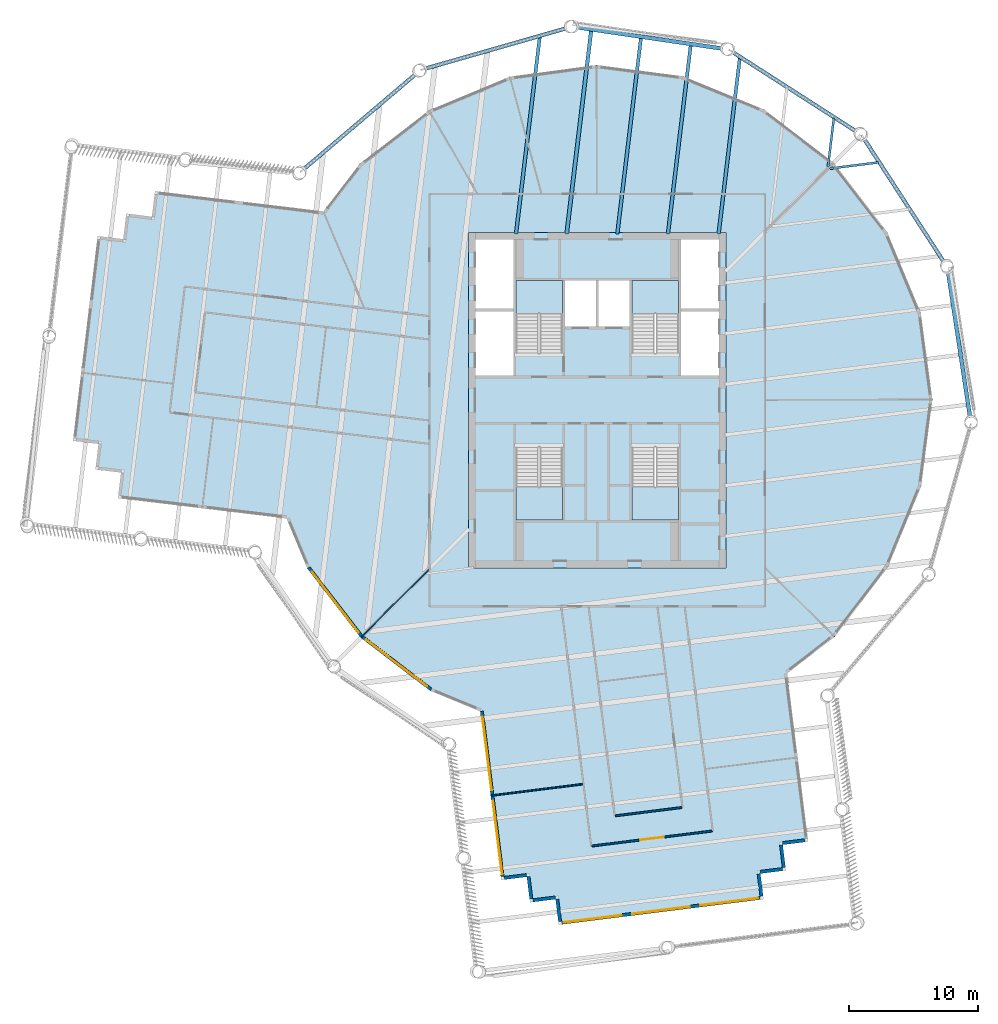
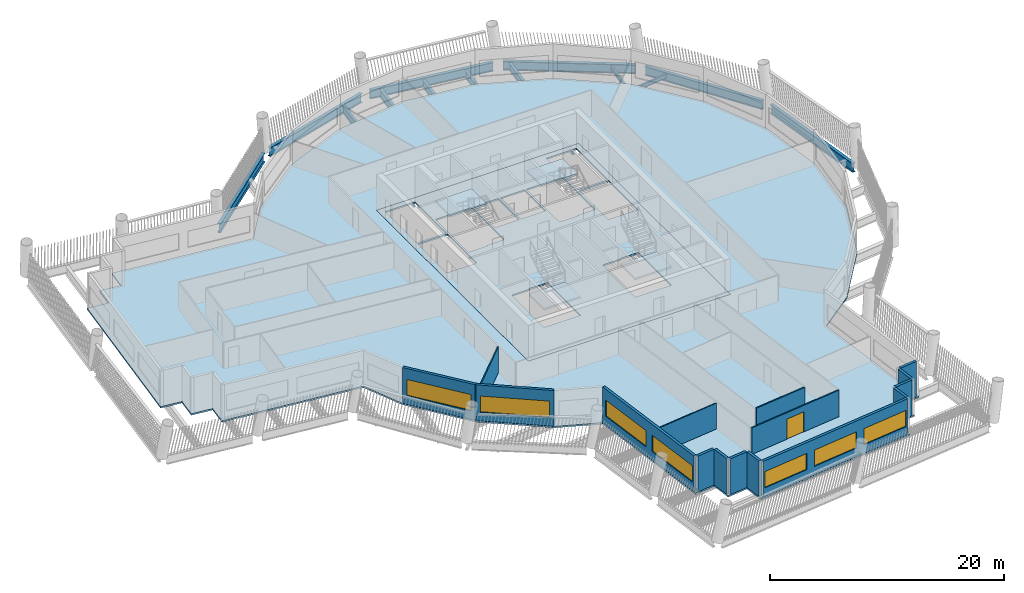
# One storey, part 2 of 14: 16 walls, 13 beams, 7 windows, 6 slabs, 1 door, 8 openings, 4 elements without a shape of their own.
"""IFC4 building model written with IfcOpenShell, lengths in metres."""

from ifc_helpers import new_model, si_unit, direction, frame, frame_2d, origin, origin_2d, place, context, subcontext, project, spatial, polyline, rectangle, i_section, outline, extrude, material, layer, layer_set, material_profile, profile_set, type_object, element, fill, aggregate, save


model = new_model("IFC4")

# Units and contexts
model_context = context("Model", 3, precision=1e-05, world=origin(), true_north=direction((0.0, 1.0)))
body_context = subcontext(model_context, "Body", "Model", "MODEL_VIEW")
ifc_project = project(units=[si_unit("LENGTHUNIT", "METRE"), si_unit("AREAUNIT", "SQUARE_METRE"), si_unit("VOLUMEUNIT", "CUBIC_METRE"), si_unit("PLANEANGLEUNIT", "RADIAN"), si_unit("MASSUNIT", "GRAM", prefix="KILO")], contexts=[model_context])

# Site, building, storey
site_placement = place(None, origin())
site = spatial("IfcSite", under=ifc_project, at=site_placement, CompositionType="ELEMENT")
building_placement = place(site_placement, origin())
building = spatial("IfcBuilding", under=site, at=building_placement, Name="Tarsis Ring Headquarters", CompositionType="ELEMENT")
storey_placement = place(building_placement, frame((0.0, 0.0, 259.10009765625)))
storey = spatial("IfcBuildingStorey", under=building, at=storey_placement, Name="L60", CompositionType="ELEMENT", Elevation=259.10009765625)

# Beams
ifc_material_1 = material(Name="Structural steel S355", Category="steel")
ifc_material_profile_1 = material_profile(ifc_material_1, i_section(OverallWidth=0.177734375, OverallDepth=0.406494140625, WebThickness=0.0078125, FlangeThickness=0.0126953125, at=origin_2d()), Name="W16x40")
ifc_profile_set_1 = profile_set([ifc_material_profile_1], Name="Structural steel S355")
beam_type_1 = type_object("IfcBeamType", Name="FB Floor beam W16x40", PredefinedType="JOIST", material=ifc_profile_set_1)
for number, where, z_axis, x_axis, name in (
    (1, (18.030029296875, 17.973388671875, -0.36328125), (0.992287744233, 0.123955768903, 0.0), (-0.123955768903, 0.992287744233, 0.0), "Floor beam FB1"),
    (2, (18.353515625, 21.883056640625, -0.36328125), (-0.119785270132, -0.992799823257, 0.0), (0.992799823257, -0.119785270132, 0.0), "Floor beam FB1"),
):
    element("IfcBeam", number, at=place(storey_placement, frame(where, z_axis=z_axis, x_axis=x_axis)), inside=storey, type_object=beam_type_1, Name=name, PredefinedType="JOIST", context=body_context, shape_type="SweptSolid", body=[
        extrude(i_section(OverallWidth=0.177734375, OverallDepth=0.406494140625, WebThickness=0.0078125, FlangeThickness=0.0126953125, at=origin_2d()), origin(), (0.0, 0.0, 1.0), 3.80517578125),
    ])
ifc_material_profile_2 = material_profile(ifc_material_1, i_section(OverallWidth=0.2666015625, OverallDepth=0.7568359375, WebThickness=0.013916015625, FlangeThickness=0.019287109375, at=origin_2d()), Name="W30x108")
ifc_profile_set_2 = profile_set([ifc_material_profile_2], Name="Structural steel S355")
beam_type_2 = type_object("IfcBeamType", Name="FB Floor beam W30x108", PredefinedType="JOIST", material=ifc_profile_set_2)
beam_1_placement = place(storey_placement, frame((11.06201171875, 26.565673828125, -0.53857421875), z_axis=(-0.119798457432, -0.992798232068, 0.0), x_axis=(0.992798232068, -0.119798457432, 0.0)))
element("IfcBeam", 3, at=beam_1_placement, inside=storey, type_object=beam_type_2, Name="Floor beam FB6", PredefinedType="JOIST", context=body_context, shape_type="SweptSolid", body=[
    extrude(i_section(OverallWidth=0.2666015625, OverallDepth=0.7568359375, WebThickness=0.013916015625, FlangeThickness=0.019287109375, at=origin_2d()), origin(), (0.0, 0.0, 1.0), 13.76416015625),
])
beam_2_placement = place(storey_placement, frame((7.255859375, 27.578369140625, -0.53857421875), z_axis=(-0.119789852089, -0.992799270415, 0.0), x_axis=(0.992799270415, -0.119789852089, 0.0)))
element("IfcBeam", 4, at=beam_2_placement, inside=storey, type_object=beam_type_2, Name="Floor beam FB6", PredefinedType="JOIST", context=body_context, shape_type="SweptSolid", body=[
    extrude(i_section(OverallWidth=0.2666015625, OverallDepth=0.7568359375, WebThickness=0.013916015625, FlangeThickness=0.019287109375, at=origin_2d()), origin(), (0.0, 0.0, 1.0), 14.7841796875),
])
beam_3_placement = place(storey_placement, frame((3.39599609375, 28.14599609375, -0.53857421875), z_axis=(-0.119781524118, -0.992800275222, 0.0), x_axis=(0.992800275222, -0.119781524118, 0.0)))
element("IfcBeam", 5, at=beam_3_placement, inside=storey, type_object=beam_type_2, Name="Floor beam FB6", PredefinedType="JOIST", context=body_context, shape_type="SweptSolid", body=[
    extrude(i_section(OverallWidth=0.2666015625, OverallDepth=0.7568359375, WebThickness=0.013916015625, FlangeThickness=0.019287109375, at=origin_2d()), origin(), (0.0, 0.0, 1.0), 15.35595703125),
])
beam_4_placement = place(storey_placement, frame((-4.45458984375, 28.19580078125, -0.53857421875), z_axis=(-0.119787574618, -0.992799545209, 0.0), x_axis=(0.992799545209, -0.119787574618, 0.0)))
element("IfcBeam", 6, at=beam_4_placement, inside=storey, type_object=beam_type_2, Name="Floor beam FB6", PredefinedType="JOIST", context=body_context, shape_type="SweptSolid", body=[
    extrude(i_section(OverallWidth=0.2666015625, OverallDepth=0.7568359375, WebThickness=0.013916015625, FlangeThickness=0.019287109375, at=origin_2d()), origin(), (0.0, 0.0, 1.0), 15.406005859375),
])
ifc_material_profile_3 = material_profile(ifc_material_1, i_section(OverallWidth=0.2919921875, OverallDepth=0.835693359375, WebThickness=0.013916015625, FlangeThickness=0.018798828125, at=origin_2d()), Name="W33x118")
ifc_profile_set_3 = profile_set([ifc_material_profile_3], Name="Structural steel S355")
beam_type_3 = type_object("IfcBeamType", Name="FB Floor beam W33x118", PredefinedType="JOIST", material=ifc_profile_set_3)
beam_5_placement = place(storey_placement, frame((-0.463623046875, 28.713623046875, -0.577880859375), z_axis=(-0.119788902177, -0.99279938503, 0.0), x_axis=(0.99279938503, -0.119788902177, 0.0)))
element("IfcBeam", 7, at=beam_5_placement, inside=storey, type_object=beam_type_3, Name="Floor beam FB7", PredefinedType="JOIST", context=body_context, shape_type="SweptSolid", body=[
    extrude(i_section(OverallWidth=0.2919921875, OverallDepth=0.835693359375, WebThickness=0.013916015625, FlangeThickness=0.018798828125, at=origin_2d()), origin(), (0.0, 0.0, 1.0), 15.927734375),
])
ifc_material_profile_4 = material_profile(ifc_material_1, i_section(OverallWidth=0.309814453125, OverallDepth=0.93212890625, WebThickness=0.02099609375, FlangeThickness=0.034423828125, at=origin_2d()), Name="W36x210")
ifc_profile_set_4 = profile_set([ifc_material_profile_4], Name="Structural steel S355")
beam_type_4 = type_object("IfcBeamType", Name="XG Ring girder W36x210", PredefinedType="BEAM", material=ifc_profile_set_4)
for number, where, z_axis, x_axis, name in (
    (8, (28.923828125, -1.354248046875, -0.46630859375), (-0.149636926036, 0.988741012787, 0.0), (-0.988741012787, -0.149636926036, 0.0), "Ring girder XG3"),
    (9, (26.91064453125, 10.688232421875, -0.46630859375), (-0.543877196619, 0.839164819924, 0.0), (-0.839164819924, -0.543877196619, 0.0), "Ring girder XG3"),
    (10, (20.112548828125, 20.830322265625, -0.46630859375), (-0.841419136782, 0.540383045863, 0.0), (-0.540383045863, -0.841419136782, 0.0), "Ring girder XG3"),
    (11, (9.738525390625, 27.268798828125, -0.46630859375), (-0.989358223422, 0.145500191571, 0.0), (-0.145500191571, -0.989358223422, 0.0), "Ring girder XG3"),
    (12, (-2.3671875, 28.858642578125, -0.46630859375), (-0.961377504486, -0.275233162734, 0.0), (0.275233162734, -0.961377504486, 0.0), "Ring girder XG3"),
):
    element("IfcBeam", number, at=place(storey_placement, frame(where, z_axis=z_axis, x_axis=x_axis)), inside=storey, type_object=beam_type_4, Name=name, PredefinedType="BEAM", context=body_context, shape_type="SweptSolid", body=[
        extrude(i_section(OverallWidth=0.309814453125, OverallDepth=0.93212890625, WebThickness=0.02099609375, FlangeThickness=0.034423828125, at=origin_2d()), origin(), (0.0, 0.0, 1.0), 11.33447265625),
    ])
beam_6_placement = place(storey_placement, frame((-14.052001953125, 25.3173828125, -0.46630859375), z_axis=(-0.762452460653, -0.647044237471, 0.0), x_axis=(0.647044237471, -0.762452460653, 0.0)))
element("IfcBeam", 13, at=beam_6_placement, inside=storey, type_object=beam_type_4, Name="Ring girder XG3", PredefinedType="BEAM", context=body_context, shape_type="SweptSolid", body=[
    extrude(i_section(OverallWidth=0.309814453125, OverallDepth=0.93212890625, WebThickness=0.02099609375, FlangeThickness=0.034423828125, at=origin_2d()), origin(), (0.0, 0.0, 1.0), 11.334716796875),
])

# Slab
ifc_material_2 = material(Name="Concrete C40/50", Category="concrete")
ifc_layer_1 = layer(ifc_material_2, 0.159912109375)
ifc_layer_set_1 = layer_set([ifc_layer_1], Name="Core floor slab 160 C40/50")
slab_type_1 = type_object("IfcSlabType", Name="Core floor slab 160 C40/50", PredefinedType="FLOOR", material=ifc_layer_set_1)
slab_1_placement = place(storey_placement, frame((0.0, 0.0, -0.16015625)))
element("IfcSlab", 14, at=slab_1_placement, inside=storey, type_object=slab_type_1, Name="L60 core floor slab", PredefinedType="FLOOR", context=body_context, shape_type="SweptSolid", body=[
    extrude(outline(polyline([(-10.0, -13.0), (10.0, -13.0), (10.0, 13.0), (-10.0, 13.0), (-10.0, -13.0)]), holes=[polyline([(-2.5, 5.699951171875), (-0.10009765625, 5.699951171875), (-0.10009765625, 9.300048828125), (-2.5, 9.300048828125), (-2.5, 5.699951171875)]), polyline([(0.10009765625, 5.699951171875), (2.5, 5.699951171875), (2.5, 9.300048828125), (0.10009765625, 9.300048828125), (0.10009765625, 5.699951171875)]), polyline([(-9.449951171875, 1.89990234375), (-6.5, 1.89990234375), (-6.5, 6.89990234375), (-9.449951171875, 6.89990234375), (-9.449951171875, 1.89990234375)]), polyline([(-9.449951171875, 7.10009765625), (-6.5, 7.10009765625), (-6.5, 12.449951171875), (-9.449951171875, 12.449951171875), (-9.449951171875, 7.10009765625)]), polyline([(6.5, 1.89990234375), (9.449951171875, 1.89990234375), (9.449951171875, 6.89990234375), (6.5, 6.89990234375), (6.5, 1.89990234375)]), polyline([(6.5, 7.10009765625), (9.449951171875, 7.10009765625), (9.449951171875, 12.449951171875), (6.5, 12.449951171875), (6.5, 7.10009765625)]), polyline([(-2.699951171875, 3.760009765625), (-2.699951171875, 9.300048828125), (-6.300048828125, 9.300048828125), (-6.300048828125, 3.659912109375), (-4.4599609375, 3.659912109375), (-4.4599609375, 3.760009765625), (-2.699951171875, 3.760009765625)]), polyline([(6.300048828125, 3.760009765625), (6.300048828125, 9.300048828125), (2.699951171875, 9.300048828125), (2.699951171875, 3.659912109375), (4.5400390625, 3.659912109375), (4.5400390625, 3.760009765625), (6.300048828125, 3.760009765625)]), polyline([(-6.300048828125, -3.760009765625), (-6.300048828125, -9.300048828125), (-2.699951171875, -9.300048828125), (-2.699951171875, -3.659912109375), (-4.5400390625, -3.659912109375), (-4.5400390625, -3.760009765625), (-6.300048828125, -3.760009765625)]), polyline([(2.699951171875, -3.760009765625), (2.699951171875, -9.300048828125), (6.300048828125, -9.300048828125), (6.300048828125, -3.659912109375), (4.4599609375, -3.659912109375), (4.4599609375, -3.760009765625), (2.699951171875, -3.760009765625)])]), origin(), (0.0, 0.0, 1.0), 0.16015625),
])

# Stair, slab
ifc_material_3 = material(Name="Core stair 1760")
stair_type = type_object("IfcStairType", Name="Core stair 1760", PredefinedType="HALF_TURN_STAIR", material=ifc_material_3)
stair_1_placement = place(storey_placement, origin())
stair_1 = element("IfcStair", 15, at=stair_1_placement, inside=storey, type_object=stair_type, Name="L60 Firefighting stair", PredefinedType="HALF_TURN_STAIR")
ifc_layer_2 = layer(ifc_material_2, 0.199951171875)
ifc_layer_set_2 = layer_set([ifc_layer_2], Name="Core stair landing 200")
slab_type_2 = type_object("IfcSlabType", Name="Core stair landing 200", PredefinedType="LANDING", material=ifc_layer_set_2)
slab_2_placement = place(storey_placement, frame((0.0, 0.0, 1.75)))
slab_2 = element("IfcSlab", 16, at=slab_2_placement, type_object=slab_type_2, Name="Stair ST1 landing 1", PredefinedType="LANDING", context=body_context, shape_type="SweptSolid", body=[
    extrude(outline(polyline([(-2.699951171875, 6.739990234375), (-2.699951171875, 9.300048828125), (-6.300048828125, 9.300048828125), (-6.300048828125, 6.739990234375), (-2.699951171875, 6.739990234375)])), origin(), (0.0, 0.0, 1.0), 0.199951171875),
])
aggregate(stair_1, [slab_2])

stair_2_placement = place(storey_placement, origin())
stair_2 = element("IfcStair", 17, at=stair_2_placement, inside=storey, type_object=stair_type, Name="L60 Exit stair B", PredefinedType="HALF_TURN_STAIR")
slab_3_placement = place(storey_placement, frame((0.0, 0.0, 1.75)))
slab_3 = element("IfcSlab", 18, at=slab_3_placement, type_object=slab_type_2, Name="Stair ST2 landing 1", PredefinedType="LANDING", context=body_context, shape_type="SweptSolid", body=[
    extrude(outline(polyline([(6.300048828125, 6.739990234375), (6.300048828125, 9.300048828125), (2.699951171875, 9.300048828125), (2.699951171875, 6.739990234375), (6.300048828125, 6.739990234375)])), origin(), (0.0, 0.0, 1.0), 0.199951171875),
])
aggregate(stair_2, [slab_3])

stair_3_placement = place(storey_placement, origin())
stair_3 = element("IfcStair", 19, at=stair_3_placement, inside=storey, type_object=stair_type, Name="L60 Exit stair C", PredefinedType="HALF_TURN_STAIR")
slab_4_placement = place(storey_placement, frame((0.0, 0.0, 1.75)))
slab_4 = element("IfcSlab", 20, at=slab_4_placement, type_object=slab_type_2, Name="Stair ST3 landing 1", PredefinedType="LANDING", context=body_context, shape_type="SweptSolid", body=[
    extrude(outline(polyline([(-6.300048828125, -6.739990234375), (-6.300048828125, -9.300048828125), (-2.699951171875, -9.300048828125), (-2.699951171875, -6.739990234375), (-6.300048828125, -6.739990234375)])), origin(), (0.0, 0.0, 1.0), 0.199951171875),
])
aggregate(stair_3, [slab_4])

stair_4_placement = place(storey_placement, origin())
stair_4 = element("IfcStair", 21, at=stair_4_placement, inside=storey, type_object=stair_type, Name="L60 Exit stair D", PredefinedType="HALF_TURN_STAIR")
slab_5_placement = place(storey_placement, frame((0.0, 0.0, 1.75)))
slab_5 = element("IfcSlab", 22, at=slab_5_placement, type_object=slab_type_2, Name="Stair ST4 landing 1", PredefinedType="LANDING", context=body_context, shape_type="SweptSolid", body=[
    extrude(outline(polyline([(2.699951171875, -6.739990234375), (2.699951171875, -9.300048828125), (6.300048828125, -9.300048828125), (6.300048828125, -6.739990234375), (2.699951171875, -6.739990234375)])), origin(), (0.0, 0.0, 1.0), 0.199951171875),
])
aggregate(stair_4, [slab_5])

# Slab
ifc_material_4 = material(Name="Concrete C35/45", Category="concrete")
ifc_layer_3 = layer(ifc_material_4, 0.159912109375)
ifc_layer_set_3 = layer_set([ifc_layer_3], Name="FS Composite floor slab 160")
slab_type_3 = type_object("IfcSlabType", Name="FS Composite floor slab 160", PredefinedType="FLOOR", material=ifc_layer_set_3)
slab_6_placement = place(storey_placement, frame((0.0, 0.0, -0.16015625)))
element("IfcSlab", 23, at=slab_6_placement, inside=storey, type_object=slab_type_3, Name="Floor slab L60", PredefinedType="FLOOR", context=body_context, shape_type="SweptSolid", body=[
    extrude(outline(polyline([(-24.10107421875, -9.178955078125), (-22.489501953125, -13.047119140625), (-18.34619140625, -18.42333984375), (-12.952880859375, -22.5439453125), (-9.077880859375, -24.139404296875), (-7.4453125, -37.209716796875), (-5.460693359375, -36.9619140625), (-5.212890625, -38.946533203125), (-3.228271484375, -38.698486328125), (-2.98046875, -40.68310546875), (12.896240234375, -38.699951171875), (12.6484375, -36.71533203125), (14.6328125, -36.467529296875), (14.385009765625, -34.48291015625), (16.36962890625, -34.235107421875), (14.739501953125, -21.18505859375), (18.42333984375, -18.34619140625), (22.5439453125, -12.952880859375), (25.128173828125, -6.6767578125), (26.0, 0.054443359375), (25.099853515625, 6.781982421875), (22.489501953125, 13.047119140625), (18.34619140625, 18.42333984375), (12.952880859375, 22.5439453125), (6.6767578125, 25.128173828125), (-0.054443359375, 26.0), (-6.781982421875, 25.099853515625), (-13.047119140625, 22.489501953125), (-18.42333984375, 18.34619140625), (-21.24658203125, 14.650634765625), (-34.30322265625, 16.22607421875), (-34.54296875, 14.240478515625), (-36.528564453125, 14.47998046875), (-36.76806640625, 12.494384765625), (-38.753662109375, 12.73388671875), (-40.67041015625, -3.15087890625), (-38.684814453125, -3.390380859375), (-38.92431640625, -5.3759765625), (-36.938720703125, -5.615478515625), (-37.17822265625, -7.60107421875), (-24.10107421875, -9.178955078125)]), holes=[polyline([(-10.0, -13.0), (-10.0, 13.0), (10.0, 13.0), (10.0, -13.0), (-10.0, -13.0)])]), origin(), (0.0, 0.0, 1.0), 0.16015625),
])

# Walls
ifc_material_5 = material(Name="Gypsum board on steel studs", Category="steel")
ifc_layer_4 = layer(ifc_material_5, 0.10009765625)
ifc_layer_set_4 = layer_set([ifc_layer_4], Name="FL partition 100 unrated")
wall_type_1 = type_object("IfcWallType", Name="FL partition 100 unrated", PredefinedType="PARTITIONING", material=ifc_layer_set_4)
wall_1_placement = place(storey_placement, frame((-18.309326171875, -18.38623046875, 0.0), z_axis=(0.0, 0.0, 1.0), x_axis=(0.705621441005, 0.708589007813, 0.0)))
element("IfcWall", 24, at=wall_1_placement, inside=storey, type_object=wall_type_1, Name="Partition PW3", PredefinedType="PARTITIONING", context=body_context, shape_type="SweptSolid", body=[
    extrude(rectangle(XDim=7.404296875, YDim=0.10009765625, at=frame_2d((3.7021484375, 0.0))), origin(), (0.0, 0.0, 1.0), 2.699951171875),
])
wall_2_placement = place(storey_placement, frame((-8.21240234375, -30.664306640625, 0.0), z_axis=(0.0, 0.0, 1.0), x_axis=(0.992287882572, 0.123954661476, 0.0)))
element("IfcWall", 25, at=wall_2_placement, inside=storey, type_object=wall_type_1, Name="Partition PW3", PredefinedType="PARTITIONING", context=body_context, shape_type="SweptSolid", body=[
    extrude(rectangle(XDim=7.1298828125, YDim=0.10009765625, at=frame_2d((3.56494140625, 0.0))), origin(), (0.0, 0.0, 1.0), 2.699951171875),
])

# Wall, opening, door
ifc_layer_5 = layer(ifc_material_5, 0.125)
ifc_layer_set_5 = layer_set([ifc_layer_5], Name="FL partition 125 EI 60 H2770")
wall_type_2 = type_object("IfcWallType", Name="FL partition 125 EI 60 H2770", PredefinedType="PARTITIONING", material=ifc_layer_set_5)
wall_3_placement = place(storey_placement, frame((-0.407470703125, -34.5771484375, 0.0), z_axis=(0.0, 0.0, 1.0), x_axis=(0.99228948453, 0.12394183673, 0.0)))
wall_3 = element("IfcWall", 26, at=wall_3_placement, inside=storey, type_object=wall_type_2, Name="Partition PW1", PredefinedType="PARTITIONING", context=body_context, shape_type="SweptSolid", body=[
    extrude(rectangle(XDim=9.380126953125, YDim=0.125, at=frame_2d((4.68994140625, 0.0))), origin(), (0.0, 0.0, 1.0), 2.77001953125),
])
opening_1_placement = place(wall_3_placement, frame((3.7900390625, 0.0, 0.0)))
opening_1 = element("IfcOpeningElement", 27, at=opening_1_placement, cuts=wall_3, Name="Opening D60.10", PredefinedType="OPENING", context=body_context, shape_type="SweptSolid", body=[
    extrude(rectangle(XDim=1.800048828125, YDim=2.10009765625, at=frame_2d((0.89990234375, 1.050048828125))), frame((0.0, 0.072509765625, 0.0), z_axis=(0.0, -1.0, 0.0), x_axis=(1.0, 0.0, 0.0)), (0.0, 0.0, 1.0), 0.14501953125),
])
ifc_material_6 = material(Name="Fire-rated timber door leaf in steel frame", Category="steel")
door_type = type_object("IfcDoorType", Name="FL door FD60-1800", OperationType="DOUBLE_DOOR_SINGLE_SWING", PredefinedType="DOOR", material=ifc_material_6)
door_placement = place(opening_1_placement, origin())
door = element("IfcDoor", 28, at=door_placement, inside=storey, type_object=door_type, Name="Door D60.10", OperationType="DOUBLE_DOOR_SINGLE_SWING", OverallHeight=2.10009765625, OverallWidth=1.800048828125, PredefinedType="DOOR", context=body_context, shape_type="SweptSolid", body=[
    extrude(rectangle(XDim=1.800048828125, YDim=2.10009765625, at=frame_2d((0.89990234375, 1.050048828125))), frame((0.0, 0.02490234375, 0.0), z_axis=(0.0, -1.0, 0.0), x_axis=(1.0, 0.0, 0.0)), (0.0, 0.0, 1.0), 0.050048828125),
])
fill(opening_1, door)

# Wall
wall_4_placement = place(storey_placement, frame((1.416015625, -32.23291015625, 0.0), z_axis=(0.0, 0.0, 1.0), x_axis=(0.992293820502, 0.123907117607, 0.0)))
element("IfcWall", 29, at=wall_4_placement, inside=storey, type_object=wall_type_2, Name="Partition PW1", PredefinedType="PARTITIONING", context=body_context, shape_type="SweptSolid", body=[
    extrude(rectangle(XDim=5.18017578125, YDim=0.125, at=frame_2d((2.590087890625, 0.0))), origin(), (0.0, 0.0, 1.0), 2.77001953125),
])

# Wall, opening, window
ifc_material_7 = material(Name="Terracotta clad insulated panel wall", Category="masonry")
ifc_layer_6 = layer(ifc_material_7, 0.25)
ifc_layer_set_6 = layer_set([ifc_layer_6], Name="Facade wall terracotta panel 250")
wall_type_3 = type_object("IfcWallType", Name="Facade wall terracotta panel 250", PredefinedType="STANDARD", material=ifc_layer_set_6)
wall_5_placement = place(storey_placement, frame((-22.370361328125, -12.996826171875, 0.0), z_axis=(0.0, 0.0, 1.0), x_axis=(0.610426688997, -0.792072760143, 0.0)))
wall_5 = element("IfcWall", 30, at=wall_5_placement, inside=storey, type_object=wall_type_3, Name="External wall L60-03", PredefinedType="STANDARD", context=body_context, shape_type="SweptSolid", body=[
    extrude(rectangle(XDim=6.7216796875, YDim=0.25, at=frame_2d((3.36083984375, 0.0))), origin(), (0.0, 0.0, 1.0), 3.739990234375),
])
opening_2_placement = place(wall_5_placement, frame((0.3857421875, 0.0, 0.89990234375)))
opening_2 = element("IfcOpeningElement", 31, at=opening_2_placement, cuts=wall_5, Name="Opening WN07", PredefinedType="OPENING", context=body_context, shape_type="SweptSolid", body=[
    extrude(rectangle(XDim=5.949951171875, YDim=1.699951171875, at=frame_2d((2.97509765625, 0.85009765625))), frame((0.0, 0.135009765625, 0.0), z_axis=(0.0, -1.0, 0.0), x_axis=(1.0, 0.0, 0.0)), (0.0, 0.0, 1.0), 0.27001953125),
])
ifc_material_8 = material(Name="Aluminium framed double glazing", Category="aluminium")
window_type_1 = type_object("IfcWindowType", Name="Facade window 5950 x 1700", PartitioningType="SINGLE_PANEL", PredefinedType="WINDOW", material=ifc_material_8)
window_1_placement = place(opening_2_placement, origin())
window_1 = element("IfcWindow", 32, at=window_1_placement, inside=storey, type_object=window_type_1, Name="Window L60-03.1", OverallHeight=1.699951171875, OverallWidth=5.949951171875, PartitioningType="SINGLE_PANEL", PredefinedType="WINDOW", context=body_context, shape_type="SweptSolid", body=[
    extrude(rectangle(XDim=5.949951171875, YDim=1.699951171875, at=frame_2d((2.97509765625, 0.85009765625))), frame((0.0, 0.030029296875, 0.0), z_axis=(0.0, -1.0, 0.0), x_axis=(1.0, 0.0, 0.0)), (0.0, 0.0, 1.0), 0.06005859375),
])
fill(opening_2, window_1)

wall_6_placement = place(storey_placement, frame((-18.244140625, -18.343994140625, 0.0), z_axis=(0.0, 0.0, 1.0), x_axis=(0.794628904217, -0.60709546579, 0.0)))
wall_6 = element("IfcWall", 33, at=wall_6_placement, inside=storey, type_object=wall_type_3, Name="External wall L60-04", PredefinedType="STANDARD", context=body_context, shape_type="SweptSolid", body=[
    extrude(rectangle(XDim=6.721435546875, YDim=0.25, at=frame_2d((3.36083984375, 0.0))), origin(), (0.0, 0.0, 1.0), 3.739990234375),
])
opening_3_placement = place(wall_6_placement, frame((0.3857421875, 0.0, 0.89990234375)))
opening_3 = element("IfcOpeningElement", 34, at=opening_3_placement, cuts=wall_6, Name="Opening WN07", PredefinedType="OPENING", context=body_context, shape_type="SweptSolid", body=[
    extrude(rectangle(XDim=5.949951171875, YDim=1.699951171875, at=frame_2d((2.97509765625, 0.85009765625))), frame((0.0, 0.135009765625, 0.0), z_axis=(0.0, -1.0, 0.0), x_axis=(1.0, 0.0, 0.0)), (0.0, 0.0, 1.0), 0.27001953125),
])
window_2_placement = place(opening_3_placement, origin())
window_2 = element("IfcWindow", 35, at=window_2_placement, inside=storey, type_object=window_type_1, Name="Window L60-04.1", OverallHeight=1.699951171875, OverallWidth=5.949951171875, PartitioningType="SINGLE_PANEL", PredefinedType="WINDOW", context=body_context, shape_type="SweptSolid", body=[
    extrude(rectangle(XDim=5.949951171875, YDim=1.699951171875, at=frame_2d((2.97509765625, 0.85009765625))), frame((0.0, 0.030029296875, 0.0), z_axis=(0.0, -1.0, 0.0), x_axis=(1.0, 0.0, 0.0)), (0.0, 0.0, 1.0), 0.06005859375),
])
fill(opening_3, window_2)

# Wall, openings, windows
wall_7_placement = place(storey_placement, frame((-8.953857421875, -24.123779296875, 0.0), z_axis=(0.0, 0.0, 1.0), x_axis=(0.12393939602, -0.992289789383, 0.0)))
wall_7 = element("IfcWall", 36, at=wall_7_placement, inside=storey, type_object=wall_type_3, Name="External wall L60-06", PredefinedType="STANDARD", context=body_context, shape_type="SweptSolid", body=[
    extrude(rectangle(XDim=12.922119140625, YDim=0.25, at=frame_2d((6.4609375, 0.0))), origin(), (0.0, 0.0, 1.0), 3.739990234375),
])
opening_4_placement = place(wall_7_placement, frame((0.41796875, 0.0, 0.89990234375)))
opening_4 = element("IfcOpeningElement", 37, at=opening_4_placement, cuts=wall_7, Name="Opening WN06", PredefinedType="OPENING", context=body_context, shape_type="SweptSolid", body=[
    extrude(rectangle(XDim=5.75, YDim=1.699951171875, at=frame_2d((2.875, 0.85009765625))), frame((0.0, 0.135009765625, 0.0), z_axis=(0.0, -1.0, 0.0), x_axis=(1.0, 0.0, 0.0)), (0.0, 0.0, 1.0), 0.27001953125),
])
opening_5_placement = place(wall_7_placement, frame((7.00390625, 0.0, 0.89990234375)))
opening_5 = element("IfcOpeningElement", 38, at=opening_5_placement, cuts=wall_7, Name="Opening WN06", PredefinedType="OPENING", context=body_context, shape_type="SweptSolid", body=[
    extrude(rectangle(XDim=5.75, YDim=1.699951171875, at=frame_2d((2.875, 0.85009765625))), frame((0.0, 0.135009765625, 0.0), z_axis=(0.0, -1.0, 0.0), x_axis=(1.0, 0.0, 0.0)), (0.0, 0.0, 1.0), 0.27001953125),
])
window_type_2 = type_object("IfcWindowType", Name="Facade window 5750 x 1700", PartitioningType="SINGLE_PANEL", PredefinedType="WINDOW", material=ifc_material_8)
window_3_placement = place(opening_4_placement, origin())
window_3 = element("IfcWindow", 39, at=window_3_placement, inside=storey, type_object=window_type_2, Name="Window L60-06.1", OverallHeight=1.699951171875, OverallWidth=5.75, PartitioningType="SINGLE_PANEL", PredefinedType="WINDOW", context=body_context, shape_type="SweptSolid", body=[
    extrude(rectangle(XDim=5.75, YDim=1.699951171875, at=frame_2d((2.875, 0.85009765625))), frame((0.0, 0.030029296875, 0.0), z_axis=(0.0, -1.0, 0.0), x_axis=(1.0, 0.0, 0.0)), (0.0, 0.0, 1.0), 0.06005859375),
])
fill(opening_4, window_3)
window_4_placement = place(opening_5_placement, origin())
window_4 = element("IfcWindow", 40, at=window_4_placement, inside=storey, type_object=window_type_2, Name="Window L60-06.2", OverallHeight=1.699951171875, OverallWidth=5.75, PartitioningType="SINGLE_PANEL", PredefinedType="WINDOW", context=body_context, shape_type="SweptSolid", body=[
    extrude(rectangle(XDim=5.75, YDim=1.699951171875, at=frame_2d((2.875, 0.85009765625))), frame((0.0, 0.030029296875, 0.0), z_axis=(0.0, -1.0, 0.0), x_axis=(1.0, 0.0, 0.0)), (0.0, 0.0, 1.0), 0.06005859375),
])
fill(opening_5, window_4)

# Walls
wall_8_placement = place(storey_placement, frame((-7.212646484375, -37.0546875, 0.0), z_axis=(0.0, 0.0, 1.0), x_axis=(0.992295039395, 0.123897355875, 0.0)))
element("IfcWall", 41, at=wall_8_placement, inside=storey, type_object=wall_type_3, Name="External wall L60-07", PredefinedType="STANDARD", context=body_context, shape_type="SweptSolid", body=[
    extrude(rectangle(XDim=1.749755859375, YDim=0.25, at=frame_2d((0.875, 0.0))), origin(), (0.0, 0.0, 1.0), 3.739990234375),
])
wall_9_placement = place(storey_placement, frame((-5.336669921875, -36.9462890625, 0.0), z_axis=(0.0, 0.0, 1.0), x_axis=(0.123880204763, -0.992297180721, 0.0)))
element("IfcWall", 42, at=wall_9_placement, inside=storey, type_object=wall_type_3, Name="External wall L60-08", PredefinedType="STANDARD", context=body_context, shape_type="SweptSolid", body=[
    extrude(rectangle(XDim=1.75, YDim=0.25, at=frame_2d((0.875, 0.0))), origin(), (0.0, 0.0, 1.0), 3.739990234375),
])
wall_10_placement = place(storey_placement, frame((-4.980224609375, -38.79150390625, 0.0), z_axis=(0.0, 0.0, 1.0), x_axis=(0.992277876714, 0.124034734589, 0.0)))
element("IfcWall", 43, at=wall_10_placement, inside=storey, type_object=wall_type_3, Name="External wall L60-09", PredefinedType="STANDARD", context=body_context, shape_type="SweptSolid", body=[
    extrude(rectangle(XDim=1.749755859375, YDim=0.25, at=frame_2d((0.875, 0.0))), origin(), (0.0, 0.0, 1.0), 3.739990234375),
])
wall_11_placement = place(storey_placement, frame((-3.104248046875, -38.68310546875, 0.0), z_axis=(0.0, 0.0, 1.0), x_axis=(0.123880204763, -0.992297180721, 0.0)))
element("IfcWall", 44, at=wall_11_placement, inside=storey, type_object=wall_type_3, Name="External wall L60-10", PredefinedType="STANDARD", context=body_context, shape_type="SweptSolid", body=[
    extrude(rectangle(XDim=1.75, YDim=0.25, at=frame_2d((0.875, 0.0))), origin(), (0.0, 0.0, 1.0), 3.739990234375),
])

# Wall, openings, windows
wall_12_placement = place(storey_placement, frame((-2.747802734375, -40.528076171875, 0.0), z_axis=(0.0, 0.0, 1.0), x_axis=(0.992289019653, 0.12394555852, 0.0)))
wall_12 = element("IfcWall", 45, at=wall_12_placement, inside=storey, type_object=wall_type_3, Name="External wall L60-11", PredefinedType="STANDARD", context=body_context, shape_type="SweptSolid", body=[
    extrude(rectangle(XDim=15.5, YDim=0.25, at=frame_2d((7.75, 0.0))), origin(), (0.0, 0.0, 1.0), 3.739990234375),
])
opening_6_placement = place(wall_12_placement, frame((0.166748046875, 0.0, 0.89990234375)))
opening_6 = element("IfcOpeningElement", 46, at=opening_6_placement, cuts=wall_12, Name="Opening WN04", PredefinedType="OPENING", context=body_context, shape_type="SweptSolid", body=[
    extrude(rectangle(XDim=4.5, YDim=1.699951171875, at=frame_2d((2.25, 0.85009765625))), frame((0.0, 0.135009765625, 0.0), z_axis=(0.0, -1.0, 0.0), x_axis=(1.0, 0.0, 0.0)), (0.0, 0.0, 1.0), 0.27001953125),
])
opening_7_placement = place(wall_12_placement, frame((5.5, 0.0, 0.89990234375)))
opening_7 = element("IfcOpeningElement", 47, at=opening_7_placement, cuts=wall_12, Name="Opening WN04", PredefinedType="OPENING", context=body_context, shape_type="SweptSolid", body=[
    extrude(rectangle(XDim=4.5, YDim=1.699951171875, at=frame_2d((2.25, 0.85009765625))), frame((0.0, 0.135009765625, 0.0), z_axis=(0.0, -1.0, 0.0), x_axis=(1.0, 0.0, 0.0)), (0.0, 0.0, 1.0), 0.27001953125),
])
opening_8_placement = place(wall_12_placement, frame((10.833251953125, 0.0, 0.89990234375)))
opening_8 = element("IfcOpeningElement", 48, at=opening_8_placement, cuts=wall_12, Name="Opening WN04", PredefinedType="OPENING", context=body_context, shape_type="SweptSolid", body=[
    extrude(rectangle(XDim=4.5, YDim=1.699951171875, at=frame_2d((2.25, 0.85009765625))), frame((0.0, 0.135009765625, 0.0), z_axis=(0.0, -1.0, 0.0), x_axis=(1.0, 0.0, 0.0)), (0.0, 0.0, 1.0), 0.27001953125),
])
window_type_3 = type_object("IfcWindowType", Name="Facade window 4500 x 1700", PartitioningType="SINGLE_PANEL", PredefinedType="WINDOW", material=ifc_material_8)
window_5_placement = place(opening_6_placement, origin())
window_5 = element("IfcWindow", 49, at=window_5_placement, inside=storey, type_object=window_type_3, Name="Window L60-11.1", OverallHeight=1.699951171875, OverallWidth=4.5, PartitioningType="SINGLE_PANEL", PredefinedType="WINDOW", context=body_context, shape_type="SweptSolid", body=[
    extrude(rectangle(XDim=4.5, YDim=1.699951171875, at=frame_2d((2.25, 0.85009765625))), frame((0.0, 0.030029296875, 0.0), z_axis=(0.0, -1.0, 0.0), x_axis=(1.0, 0.0, 0.0)), (0.0, 0.0, 1.0), 0.06005859375),
])
fill(opening_6, window_5)
window_6_placement = place(opening_7_placement, origin())
window_6 = element("IfcWindow", 50, at=window_6_placement, inside=storey, type_object=window_type_3, Name="Window L60-11.2", OverallHeight=1.699951171875, OverallWidth=4.5, PartitioningType="SINGLE_PANEL", PredefinedType="WINDOW", context=body_context, shape_type="SweptSolid", body=[
    extrude(rectangle(XDim=4.5, YDim=1.699951171875, at=frame_2d((2.25, 0.85009765625))), frame((0.0, 0.030029296875, 0.0), z_axis=(0.0, -1.0, 0.0), x_axis=(1.0, 0.0, 0.0)), (0.0, 0.0, 1.0), 0.06005859375),
])
fill(opening_7, window_6)
window_7_placement = place(opening_8_placement, origin())
window_7 = element("IfcWindow", 51, at=window_7_placement, inside=storey, type_object=window_type_3, Name="Window L60-11.3", OverallHeight=1.699951171875, OverallWidth=4.5, PartitioningType="SINGLE_PANEL", PredefinedType="WINDOW", context=body_context, shape_type="SweptSolid", body=[
    extrude(rectangle(XDim=4.5, YDim=1.699951171875, at=frame_2d((2.25, 0.85009765625))), frame((0.0, 0.030029296875, 0.0), z_axis=(0.0, -1.0, 0.0), x_axis=(1.0, 0.0, 0.0)), (0.0, 0.0, 1.0), 0.06005859375),
])
fill(opening_8, window_7)

# Walls
wall_13_placement = place(storey_placement, frame((12.7412109375, -38.46728515625, 0.0), z_axis=(0.0, 0.0, 1.0), x_axis=(-0.123897355875, 0.992295039395, 0.0)))
element("IfcWall", 52, at=wall_13_placement, inside=storey, type_object=wall_type_3, Name="External wall L60-12", PredefinedType="STANDARD", context=body_context, shape_type="SweptSolid", body=[
    extrude(rectangle(XDim=1.749755859375, YDim=0.25, at=frame_2d((0.875, 0.0))), origin(), (0.0, 0.0, 1.0), 3.739990234375),
])
for number, where, z_axis, x_axis, name in (
    (53, (12.6328125, -36.59130859375, 0.0), (0.0, 0.0, 1.0), (0.992297180721, 0.123880204763, 0.0), "External wall L60-13"),
    (54, (14.477783203125, -36.23486328125, 0.0), (0.0, 0.0, 1.0), (-0.123880204763, 0.992297180721, 0.0), "External wall L60-14"),
):
    element("IfcWall", number, at=place(storey_placement, frame(where, z_axis=z_axis, x_axis=x_axis)), inside=storey, type_object=wall_type_3, Name=name, PredefinedType="STANDARD", context=body_context, shape_type="SweptSolid", body=[
        extrude(rectangle(XDim=1.75, YDim=0.25, at=frame_2d((0.875, 0.0))), origin(), (0.0, 0.0, 1.0), 3.739990234375),
    ])
wall_14_placement = place(storey_placement, frame((14.36962890625, -34.35888671875, 0.0), z_axis=(0.0, 0.0, 1.0), x_axis=(0.992295039395, 0.123897355875, 0.0)))
element("IfcWall", 55, at=wall_14_placement, inside=storey, type_object=wall_type_3, Name="External wall L60-15", PredefinedType="STANDARD", context=body_context, shape_type="SweptSolid", body=[
    extrude(rectangle(XDim=1.749755859375, YDim=0.25, at=frame_2d((0.875, 0.0))), origin(), (0.0, 0.0, 1.0), 3.739990234375),
])

save(model, "model.ifc")
